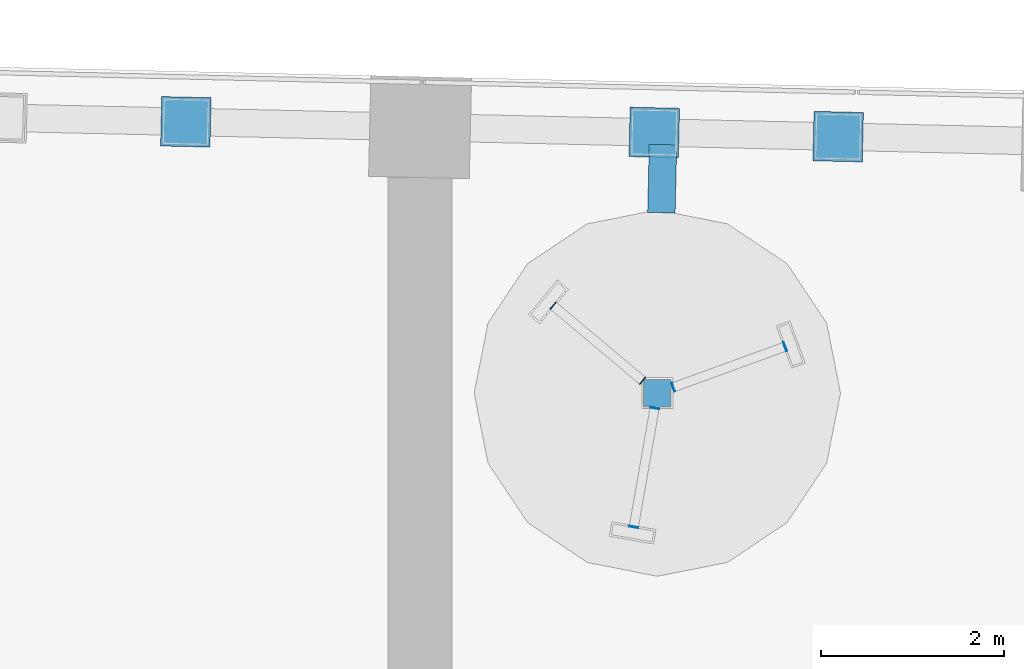
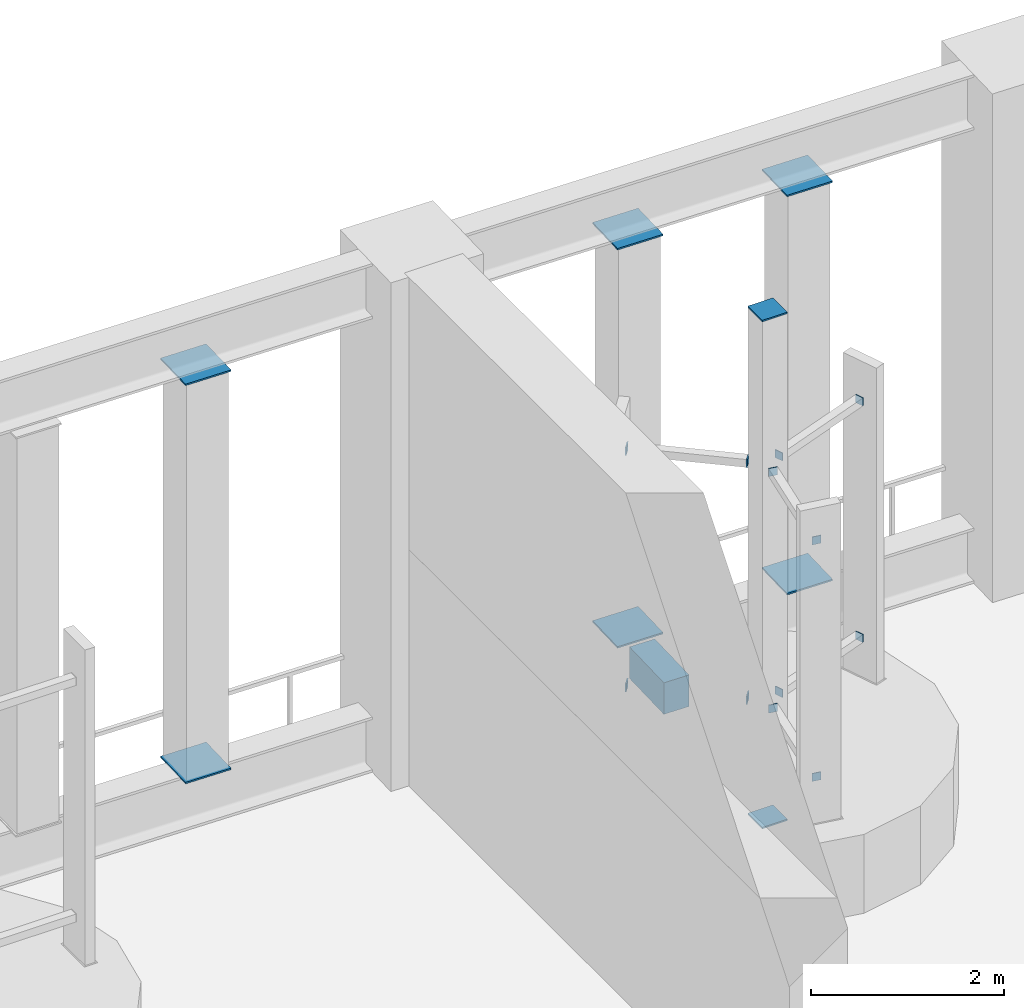
# One storey, part 23 of 33: 21 discrete accessories.
"""IFC4 building model written with IfcOpenShell, lengths in metres."""

from ifc_helpers import new_model, si_unit, direction, frame, origin, origin_2d, place, context, subcontext, project, spatial, rectangle, extrude, material, layer, layer_set, type_object, element, save


model = new_model("IFC4")

# Units and contexts
model_context = context("Model", 3, precision=1e-05, world=origin(), true_north=direction((0.0, 1.0)))
body_context = subcontext(model_context, "Body", "Model", "MODEL_VIEW")
ifc_project = project(units=[si_unit("LENGTHUNIT", "METRE"), si_unit("AREAUNIT", "SQUARE_METRE"), si_unit("VOLUMEUNIT", "CUBIC_METRE"), si_unit("PLANEANGLEUNIT", "RADIAN"), si_unit("MASSUNIT", "GRAM", prefix="KILO")], contexts=[model_context])

# Site, building, storey
site_placement = place(None, origin())
site = spatial("IfcSite", under=ifc_project, at=site_placement, CompositionType="ELEMENT")
building_placement = place(site_placement, origin())
building = spatial("IfcBuilding", under=site, at=building_placement, Name="Mangrove Gate Tower", CompositionType="ELEMENT")
storey_placement = place(building_placement, frame((0.0, 0.0, 219.5)))
storey = spatial("IfcBuildingStorey", under=building, at=storey_placement, Name="L56", CompositionType="ELEMENT", Elevation=219.5)

# Discrete accessories
ifc_material_1 = material(Name="Steel S355J2H", Category="steel")
ifc_layer_1 = layer(ifc_material_1, 0.010009765625)
ifc_layer_set_1 = layer_set([ifc_layer_1], Name="Arm end plate 100x100x10")
discrete_accessory_type_1 = type_object("IfcDiscreteAccessoryType", Name="Arm end plate 100x100x10", PredefinedType="ANCHORPLATE", material=ifc_layer_set_1)
for number, where, z_axis, x_axis, name in (
    (1, (-5.14697265625, 21.508056640625, 1.449951171875), (0.0, 0.0, 1.0), (0.939692620786, 0.342020143326, 0.0), "END PLATE ARM L56 2.1.1 MAST"),
    (2, (-3.925048828125, 21.952880859375, 1.449951171875), (0.0, 0.0, 1.0), (0.939692620786, 0.342020143326, 0.0), "END PLATE ARM L56 2.1.1 FIN"),
    (3, (-5.14697265625, 21.508056640625, 4.449951171875), (0.0, 0.0, 1.0), (0.939692620786, 0.342020143326, 0.0), "END PLATE ARM L56 2.1.2 MAST"),
    (4, (-3.925048828125, 21.952880859375, 4.449951171875), (0.0, 0.0, 1.0), (0.939692620786, 0.342020143326, 0.0), "END PLATE ARM L56 2.1.2 FIN"),
    (5, (-5.48095703125, 21.580078125, 1.449951171875), (0.0, 0.0, 1.0), (-0.766044443119, 0.642787609687, 0.0), "END PLATE ARM L56 2.2.1 MAST"),
    (6, (-6.4580078125, 22.39990234375, 1.449951171875), (0.0, 0.0, 1.0), (-0.766044443119, 0.642787609687, 0.0), "END PLATE ARM L56 2.2.1 FIN"),
    (7, (-5.48095703125, 21.580078125, 4.449951171875), (0.0, 0.0, 1.0), (-0.766044443119, 0.642787609687, 0.0), "END PLATE ARM L56 2.2.2 MAST"),
    (8, (-6.4580078125, 22.39990234375, 4.449951171875), (0.0, 0.0, 1.0), (-0.766044443119, 0.642787609687, 0.0), "END PLATE ARM L56 2.2.2 FIN"),
    (9, (-5.34912109375, 21.281005859375, 1.449951171875), (0.0, 0.0, 1.0), (-0.173648177667, -0.984807753012, 0.0), "END PLATE ARM L56 2.3.1 MAST"),
    (10, (-5.577880859375, 19.98291015625, 1.449951171875), (0.0, 0.0, 1.0), (-0.173648177667, -0.984807753012, 0.0), "END PLATE ARM L56 2.3.1 FIN"),
    (11, (-5.34912109375, 21.281005859375, 4.449951171875), (0.0, 0.0, 1.0), (-0.173648177667, -0.984807753012, 0.0), "END PLATE ARM L56 2.3.2 MAST"),
    (12, (-5.577880859375, 19.98291015625, 4.449951171875), (0.0, 0.0, 1.0), (-0.173648177667, -0.984807753012, 0.0), "END PLATE ARM L56 2.3.2 FIN"),
):
    element("IfcDiscreteAccessory", number, at=place(storey_placement, frame(where, z_axis=z_axis, x_axis=x_axis)), inside=storey, type_object=discrete_accessory_type_1, Name=name, PredefinedType="ANCHORPLATE", context=body_context, shape_type="SweptSolid", body=[
        extrude(rectangle(XDim=0.010009765625, YDim=0.10009765625, at=origin_2d()), origin(), (0.0, 0.0, 1.0), 0.10009765625),
    ])
ifc_material_2 = material(Name="Steel S355J2H", Category="steel")
ifc_layer_2 = layer(ifc_material_2, 0.02001953125)
ifc_layer_set_2 = layer_set([ifc_layer_2], Name="Belt truss end plate 540x540x20")
discrete_accessory_type_2 = type_object("IfcDiscreteAccessoryType", Name="Belt truss end plate 540x540x20", PredefinedType="ANCHORPLATE", material=ifc_layer_set_2)
for number, where, z_axis, x_axis, name in (
    (13, (-3.345703125, 24.245361328125, 0.68994140625), (0.0, 0.0, 1.0), (-0.999741400599, 0.022740534932, 0.0), "Belt truss end plate L56 22-1 bottom"),
    (14, (-3.345703125, 24.245361328125, 5.739990234375), (0.0, 0.0, 1.0), (-0.999741400599, 0.022740534932, 0.0), "Belt truss end plate L56 22-1 top"),
    (15, (-5.353271484375, 24.291015625, 0.68994140625), (0.0, 0.0, 1.0), (-0.999741400599, 0.022740534932, 0.0), "Belt truss end plate L56 22-2 bottom"),
    (16, (-5.353271484375, 24.291015625, 5.739990234375), (0.0, 0.0, 1.0), (-0.999741400599, 0.022740534932, 0.0), "Belt truss end plate L56 22-2 top"),
    (17, (-10.4677734375, 24.406982421875, 0.68994140625), (0.0, 0.0, 1.0), (-0.999744582204, 0.022600229076, 0.0), "Belt truss end plate L56 23-1 bottom"),
    (18, (-10.4677734375, 24.406982421875, 5.739990234375), (0.0, 0.0, 1.0), (-0.999744582204, 0.022600229076, 0.0), "Belt truss end plate L56 23-1 top"),
):
    element("IfcDiscreteAccessory", number, at=place(storey_placement, frame(where, z_axis=z_axis, x_axis=x_axis)), inside=storey, type_object=discrete_accessory_type_2, Name=name, PredefinedType="ANCHORPLATE", context=body_context, shape_type="SweptSolid", body=[
        extrude(rectangle(XDim=0.5400390625, YDim=0.5400390625, at=origin_2d()), origin(), (0.0, 0.0, 1.0), 0.02001953125),
    ])
ifc_material_3 = material(Name="Steel S355J2H", Category="steel")
ifc_layer_3 = layer(ifc_material_3, 0.02001953125)
ifc_layer_set_3 = layer_set([ifc_layer_3], Name="Mast end plate 300x300x20")
discrete_accessory_type_3 = type_object("IfcDiscreteAccessoryType", Name="Mast end plate 300x300x20", PredefinedType="ANCHORPLATE", material=ifc_layer_set_3)
for number, where, z_axis, x_axis, name in (
    (19, (-5.320068359375, 21.445068359375, 0.0), (0.0, 0.0, 1.0), (1.0, 0.0, 0.0), "END PLATE MAST L56 2 FOOT"),
    (20, (-5.320068359375, 21.445068359375, 6.429931640625), (0.0, 0.0, 1.0), (1.0, 0.0, 0.0), "END PLATE MAST L56 2 HEAD"),
):
    element("IfcDiscreteAccessory", number, at=place(storey_placement, frame(where, z_axis=z_axis, x_axis=x_axis)), inside=storey, type_object=discrete_accessory_type_3, Name=name, PredefinedType="ANCHORPLATE", context=body_context, shape_type="SweptSolid", body=[
        extrude(rectangle(XDim=0.300048828125, YDim=0.300048828125, at=origin_2d()), origin(), (0.0, 0.0, 1.0), 0.02001953125),
    ])
ifc_material_4 = material(Name="Steel S355J2", Category="steel")
ifc_layer_4 = layer(ifc_material_4, 0.39990234375)
ifc_layer_set_4 = layer_set([ifc_layer_4], Name="Turbine bracket")
discrete_accessory_type_4 = type_object("IfcDiscreteAccessoryType", Name="Turbine bracket", PredefinedType="BRACKET", material=ifc_layer_set_4)
discrete_accessory_placement = place(storey_placement, frame((-5.266845703125, 23.78662109375, 0.150146484375), z_axis=(0.0, 0.0, 1.0), x_axis=(-0.022740639625, -0.999741398217, 0.0)))
element("IfcDiscreteAccessory", 21, at=discrete_accessory_placement, inside=storey, type_object=discrete_accessory_type_4, Name="Turbine bracket GEN-L56-N2", PredefinedType="BRACKET", context=body_context, shape_type="SweptSolid", body=[
    extrude(rectangle(XDim=0.744384765625, YDim=0.300048828125, at=origin_2d()), origin(), (0.0, 0.0, 1.0), 0.39990234375),
])

save(model, "model.ifc")
